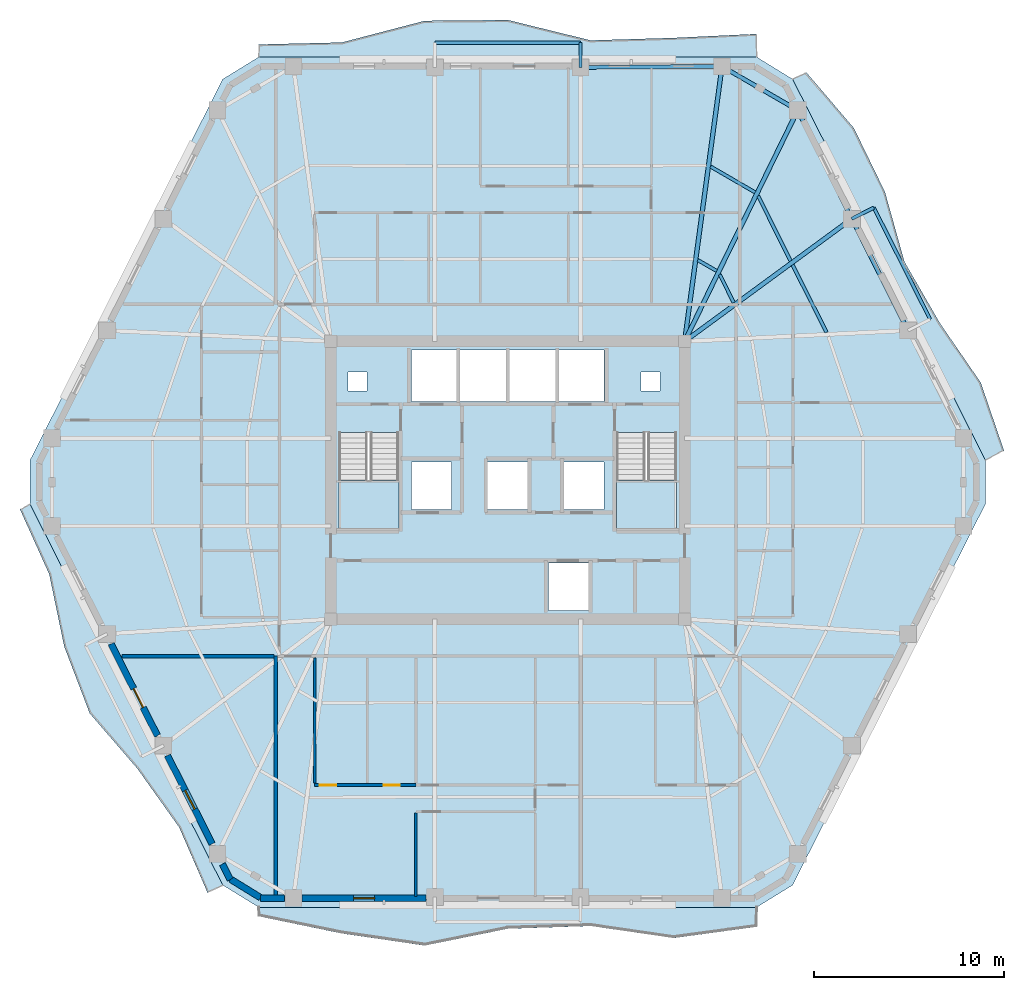
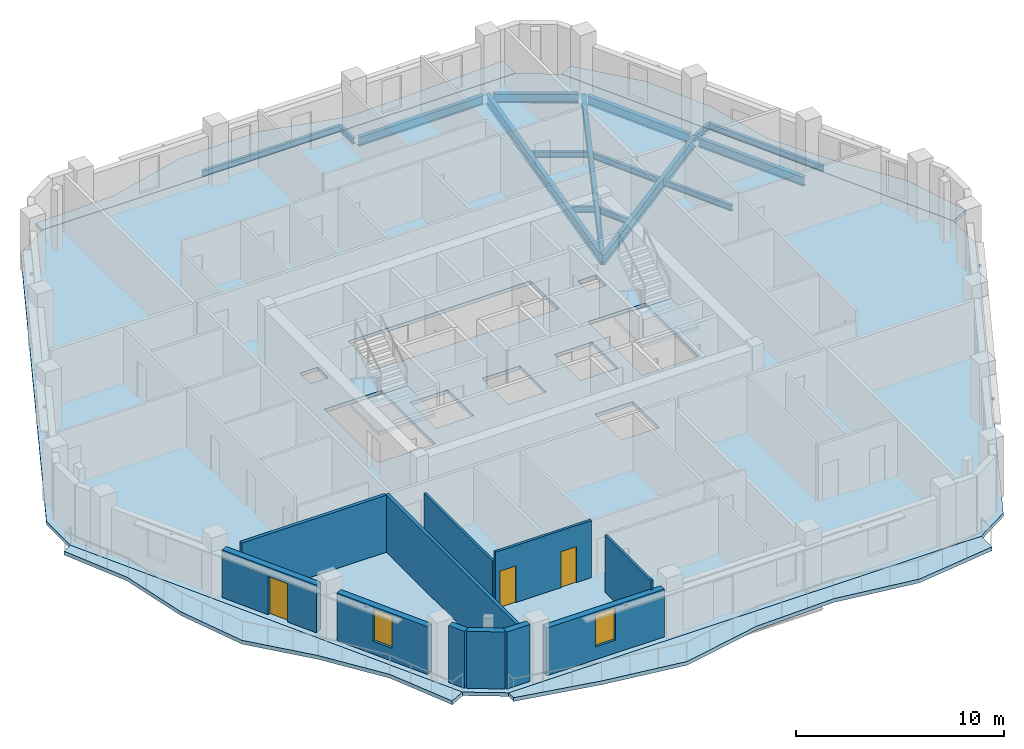
# One storey, part 3 of 12: 16 beams, 11 walls, 7 slabs, 3 doors, 2 windows, 5 openings, 2 elements without a shape of their own.
"""IFC4 building model written with IfcOpenShell, lengths in metres."""

from ifc_helpers import new_model, si_unit, direction, frame, frame_2d, origin, origin_2d, place, context, subcontext, project, spatial, polyline, rectangle, i_section, outline, extrude, material, layer, layer_set, material_profile, profile_set, type_object, element, fill, aggregate, save


model = new_model("IFC4")

# Units and contexts
model_context = context("Model", 3, precision=1e-05, world=origin(), true_north=direction((0.0, 1.0)))
body_context = subcontext(model_context, "Body", "Model", "MODEL_VIEW")
ifc_project = project(units=[si_unit("LENGTHUNIT", "METRE"), si_unit("AREAUNIT", "SQUARE_METRE"), si_unit("VOLUMEUNIT", "CUBIC_METRE"), si_unit("PLANEANGLEUNIT", "RADIAN"), si_unit("MASSUNIT", "GRAM", prefix="KILO")], contexts=[model_context])

# Site, building, storey
site_placement = place(None, origin())
site = spatial("IfcSite", under=ifc_project, at=site_placement, CompositionType="ELEMENT")
building_placement = place(site_placement, origin())
building = spatial("IfcBuilding", under=site, at=building_placement, Name="Cinnabar Lancet Tower", CompositionType="ELEMENT")
storey_placement = place(building_placement, frame((0.0, 0.0, 157.050048828125)))
storey = spatial("IfcBuildingStorey", under=building, at=storey_placement, Name="L41", CompositionType="ELEMENT", Elevation=157.050048828125)

# Beams
ifc_material_1 = material(Name="Structural steel S355", Category="steel")
ifc_material_profile_1 = material_profile(ifc_material_1, i_section(OverallWidth=0.17138671875, OverallDepth=0.35498046875, WebThickness=0.00732421875, FlangeThickness=0.011474609375, FilletRadius=0.01025390625, at=origin_2d()), Name="UKB 356x171x51")
ifc_profile_set_1 = profile_set([ifc_material_profile_1], Name="Structural steel S355")
beam_type_1 = type_object("IfcBeamType", Name="STR-BM-JST-356", PredefinedType="JOIST", material=ifc_profile_set_1)
beam_1_placement = place(storey_placement, frame((49.1650390625, 33.679931640625, -0.387939453125), z_axis=(-0.450656035687, 0.892697674187, 0.0), x_axis=(-0.892697674187, -0.450656035687, 0.0)))
element("IfcBeam", 1, at=beam_1_placement, inside=storey, type_object=beam_type_1, Name="L41 Secondary Floor Joist 27", PredefinedType="JOIST", context=body_context, shape_type="SweptSolid", body=[
    extrude(i_section(OverallWidth=0.17138671875, OverallDepth=0.35498046875, WebThickness=0.00732421875, FlangeThickness=0.011474609375, FilletRadius=0.01025390625, at=origin_2d()), origin(), (0.0, 0.0, 1.0), 3.9677734375),
])
beam_2_placement = place(storey_placement, frame((47.27294921875, 37.427978515625, -0.387939453125), z_axis=(-0.4452962175, 0.895383313827, 0.0), x_axis=(-0.895383313827, -0.4452962175, 0.0)))
element("IfcBeam", 2, at=beam_2_placement, inside=storey, type_object=beam_type_1, Name="L41 Secondary Floor Joist 29", PredefinedType="JOIST", context=body_context, shape_type="SweptSolid", body=[
    extrude(i_section(OverallWidth=0.17138671875, OverallDepth=0.35498046875, WebThickness=0.00732421875, FlangeThickness=0.011474609375, FilletRadius=0.01025390625, at=origin_2d()), origin(), (0.0, 0.0, 1.0), 3.822021484375),
])
beam_3_placement = place(storey_placement, frame((44.284912109375, 35.237060546875, -0.387939453125), z_axis=(-0.445203586036, 0.895429375764, 0.0), x_axis=(-0.895429375764, -0.445203586036, 0.0)))
element("IfcBeam", 3, at=beam_3_placement, inside=storey, type_object=beam_type_1, Name="L41 Secondary Floor Joist 30", PredefinedType="JOIST", context=body_context, shape_type="SweptSolid", body=[
    extrude(i_section(OverallWidth=0.17138671875, OverallDepth=0.35498046875, WebThickness=0.00732421875, FlangeThickness=0.011474609375, FilletRadius=0.01025390625, at=origin_2d()), origin(), (0.0, 0.0, 1.0), 1.65283203125),
])
beam_4_placement = place(storey_placement, frame((45.407958984375, 41.035888671875, -0.387939453125), z_axis=(-0.865133760642, 0.501541200898, 0.0), x_axis=(-0.501541200898, -0.865133760642, 0.0)))
element("IfcBeam", 4, at=beam_4_placement, inside=storey, type_object=beam_type_1, Name="L41 Secondary Floor Joist 31", PredefinedType="JOIST", context=body_context, shape_type="SweptSolid", body=[
    extrude(i_section(OverallWidth=0.17138671875, OverallDepth=0.35498046875, WebThickness=0.00732421875, FlangeThickness=0.011474609375, FilletRadius=0.01025390625, at=origin_2d()), origin(), (0.0, 0.0, 1.0), 2.7060546875),
])
beam_5_placement = place(storey_placement, frame((43.385986328125, 36.904052734375, -0.387939453125), z_axis=(-0.865640778484, 0.500665599602, 0.0), x_axis=(-0.500665599602, -0.865640778484, 0.0)))
element("IfcBeam", 5, at=beam_5_placement, inside=storey, type_object=beam_type_1, Name="L41 Secondary Floor Joist 32", PredefinedType="JOIST", context=body_context, shape_type="SweptSolid", body=[
    extrude(i_section(OverallWidth=0.17138671875, OverallDepth=0.35498046875, WebThickness=0.00732421875, FlangeThickness=0.011474609375, FilletRadius=0.01025390625, at=origin_2d()), origin(), (0.0, 0.0, 1.0), 1.142578125),
])
ifc_material_2 = material(Name="Structural steel S355", Category="steel")
ifc_material_profile_2 = material_profile(ifc_material_2, i_section(OverallWidth=0.209228515625, OverallDepth=0.533203125, WebThickness=0.010009765625, FlangeThickness=0.015625, FilletRadius=0.0126953125, at=origin_2d()), Name="UKB 533x210x92")
ifc_profile_set_2 = profile_set([ifc_material_profile_2], Name="Structural steel S355")
beam_type_2 = type_object("IfcBeamType", Name="STR-BM-SPN-533", PredefinedType="SPANDREL", material=ifc_profile_set_2)
beam_6_placement = place(storey_placement, frame((53.339111328125, 33.9990234375, -0.47705078125), z_axis=(-0.450570325924, 0.892740937449, 0.0), x_axis=(-0.892740937449, -0.450570325924, 0.0)))
element("IfcBeam", 6, at=beam_6_placement, inside=storey, type_object=beam_type_2, Name="L41 Perimeter Spandrel 10", PredefinedType="SPANDREL", context=body_context, shape_type="SweptSolid", body=[
    extrude(i_section(OverallWidth=0.209228515625, OverallDepth=0.533203125, WebThickness=0.010009765625, FlangeThickness=0.015625, FilletRadius=0.0126953125, at=origin_2d()), origin(), (0.0, 0.0, 1.0), 6.07470703125),
])
beam_7_placement = place(storey_placement, frame((50.3779296875, 39.868896484375, -0.47705078125), z_axis=(-0.445501068635, 0.89528140707, 0.0), x_axis=(-0.89528140707, -0.445501068635, 0.0)))
element("IfcBeam", 7, at=beam_7_placement, inside=storey, type_object=beam_type_2, Name="L41 Perimeter Spandrel 11", PredefinedType="SPANDREL", context=body_context, shape_type="SweptSolid", body=[
    extrude(i_section(OverallWidth=0.209228515625, OverallDepth=0.533203125, WebThickness=0.010009765625, FlangeThickness=0.015625, FilletRadius=0.0126953125, at=origin_2d()), origin(), (0.0, 0.0, 1.0), 5.87646484375),
])
beam_8_placement = place(storey_placement, frame((47.43310546875, 45.47900390625, -0.47705078125), z_axis=(-0.865138129765, 0.5015336643, 0.0), x_axis=(-0.5015336643, -0.865138129765, 0.0)))
element("IfcBeam", 8, at=beam_8_placement, inside=storey, type_object=beam_type_2, Name="L41 Perimeter Spandrel 12", PredefinedType="SPANDREL", context=body_context, shape_type="SweptSolid", body=[
    extrude(i_section(OverallWidth=0.209228515625, OverallDepth=0.533203125, WebThickness=0.010009765625, FlangeThickness=0.015625, FilletRadius=0.0126953125, at=origin_2d()), origin(), (0.0, 0.0, 1.0), 4.10107421875),
])
beam_9_placement = place(storey_placement, frame((43.4189453125, 47.658935546875, -0.47705078125), z_axis=(-0.999975228682, -0.007038609338, 0.0), x_axis=(0.007038609338, -0.999975228682, 0.0)))
element("IfcBeam", 9, at=beam_9_placement, inside=storey, type_object=beam_type_2, Name="L41 Perimeter Spandrel 13", PredefinedType="SPANDREL", context=body_context, shape_type="SweptSolid", body=[
    extrude(i_section(OverallWidth=0.209228515625, OverallDepth=0.533203125, WebThickness=0.010009765625, FlangeThickness=0.015625, FilletRadius=0.0126953125, at=origin_2d()), origin(), (0.0, 0.0, 1.0), 6.937255859375),
])
ifc_material_3 = material(Name="Structural steel S355", Category="steel")
ifc_material_profile_3 = material_profile(ifc_material_3, i_section(OverallWidth=0.228271484375, OverallDepth=0.607666015625, WebThickness=0.010986328125, FlangeThickness=0.017333984375, FilletRadius=0.0126953125, at=origin_2d()), Name="UKB 610x229x113")
ifc_profile_set_3 = profile_set([ifc_material_profile_3], Name="Structural steel S355")
beam_type_3 = type_object("IfcBeamType", Name="STR-BM-UKB610-113", PredefinedType="BEAM", material=ifc_profile_set_3)
beam_10_placement = place(storey_placement, frame((50.489013671875, 39.64501953125, -0.51416015625), z_axis=(-0.806415678013, -0.591349096774, 0.0), x_axis=(0.591349096774, -0.806415678013, 0.0)))
element("IfcBeam", 10, at=beam_10_placement, inside=storey, type_object=beam_type_3, Name="L41 Corner Collector Girder 3", PredefinedType="BEAM", context=body_context, shape_type="SweptSolid", body=[
    extrude(i_section(OverallWidth=0.228271484375, OverallDepth=0.607666015625, WebThickness=0.010986328125, FlangeThickness=0.017333984375, FilletRadius=0.0126953125, at=origin_2d()), origin(), (0.0, 0.0, 1.0), 10.89892578125),
])
beam_11_placement = place(storey_placement, frame((47.64892578125, 45.35400390625, -0.51416015625), z_axis=(-0.43962719145, -0.898180345219, 0.0), x_axis=(0.898180345219, -0.43962719145, 0.0)))
element("IfcBeam", 11, at=beam_11_placement, inside=storey, type_object=beam_type_3, Name="L41 Primary Floor Girder 12", PredefinedType="BEAM", context=body_context, shape_type="SweptSolid", body=[
    extrude(i_section(OverallWidth=0.228271484375, OverallDepth=0.607666015625, WebThickness=0.010986328125, FlangeThickness=0.017333984375, FilletRadius=0.0126953125, at=origin_2d()), origin(), (0.0, 0.0, 1.0), 13.531982421875),
])
beam_12_placement = place(storey_placement, frame((43.6689453125, 47.660888671875, -0.51416015625), z_axis=(-0.134914632731, -0.990857225777, 0.0), x_axis=(0.990857225777, -0.134914632731, 0.0)))
element("IfcBeam", 12, at=beam_12_placement, inside=storey, type_object=beam_type_3, Name="L41 Primary Floor Girder 13", PredefinedType="BEAM", context=body_context, shape_type="SweptSolid", body=[
    extrude(i_section(OverallWidth=0.228271484375, OverallDepth=0.607666015625, WebThickness=0.010986328125, FlangeThickness=0.017333984375, FilletRadius=0.0126953125, at=origin_2d()), origin(), (0.0, 0.0, 1.0), 14.594482421875),
])
ifc_material_4 = material(Name="Structural steel S355", Category="steel")
ifc_material_profile_4 = material_profile(ifc_material_4, i_section(OverallWidth=0.17138671875, OverallDepth=0.35498046875, WebThickness=0.00732421875, FlangeThickness=0.011474609375, FilletRadius=0.01025390625, at=origin_2d()), Name="UKB 356x171x51")
ifc_profile_set_4 = profile_set([ifc_material_profile_4], Name="Structural steel S355")
beam_type_4 = type_object("IfcBeamType", Name="STR-BM-WAV-OUT", PredefinedType="BEAM", material=ifc_profile_set_4)
for number, where, z_axis, x_axis, name in (
    (13, (50.489013671875, 39.64501953125, -0.39697265625), (0.89227592947, 0.451490493464, 0.0), (-0.451490493464, 0.89227592947, 0.0), "L41 Face 3 Balcony Outlooker B"),
    (14, (36.23193359375, 47.60791015625, -0.39697265625), (0.0, 1.0, 0.0), (-1.0, 0.0, 0.0), "L41 Face 4 Balcony Outlooker A"),
):
    element("IfcBeam", number, at=place(storey_placement, frame(where, z_axis=z_axis, x_axis=x_axis)), inside=storey, type_object=beam_type_4, Name=name, PredefinedType="BEAM", context=body_context, shape_type="SweptSolid", body=[
        extrude(i_section(OverallWidth=0.17138671875, OverallDepth=0.35498046875, WebThickness=0.00732421875, FlangeThickness=0.011474609375, FilletRadius=0.01025390625, at=origin_2d()), origin(), (0.0, 0.0, 1.0), 1.300048828125),
    ])
ifc_material_5 = material(Name="Structural steel S355", Category="steel")
ifc_material_profile_5 = material_profile(ifc_material_5, i_section(OverallWidth=0.17138671875, OverallDepth=0.35498046875, WebThickness=0.00732421875, FlangeThickness=0.011474609375, FilletRadius=0.01025390625, at=origin_2d()), Name="UKB 356x171x51")
ifc_profile_set_5 = profile_set([ifc_material_profile_5], Name="Structural steel S355")
beam_type_5 = type_object("IfcBeamType", Name="STR-BM-WAV-TRIM", PredefinedType="SPANDREL", material=ifc_profile_set_5)
beam_13_placement = place(storey_placement, frame((54.612060546875, 34.363037109375, -0.39697265625), z_axis=(-0.450700828166, 0.892675060417, 0.0), x_axis=(-0.892675060417, -0.450700828166, 0.0)))
element("IfcBeam", 15, at=beam_13_placement, inside=storey, type_object=beam_type_5, Name="L41 Face 3 Balcony Edge Trimmer", PredefinedType="SPANDREL", context=body_context, shape_type="SweptSolid", body=[
    extrude(i_section(OverallWidth=0.17138671875, OverallDepth=0.35498046875, WebThickness=0.00732421875, FlangeThickness=0.011474609375, FilletRadius=0.01025390625, at=origin_2d()), origin(), (0.0, 0.0, 1.0), 6.574462890625),
])
beam_14_placement = place(storey_placement, frame((36.23193359375, 48.907958984375, -0.39697265625), z_axis=(-1.0, 0.0, 0.0), x_axis=(0.0, -1.0, 0.0)))
element("IfcBeam", 16, at=beam_14_placement, inside=storey, type_object=beam_type_5, Name="L41 Face 4 Balcony Edge Trimmer", PredefinedType="SPANDREL", context=body_context, shape_type="SweptSolid", body=[
    extrude(i_section(OverallWidth=0.17138671875, OverallDepth=0.35498046875, WebThickness=0.00732421875, FlangeThickness=0.011474609375, FilletRadius=0.01025390625, at=origin_2d()), origin(), (0.0, 0.0, 1.0), 7.663818359375),
])

# Stair, slab
ifc_material_6 = material(Name="Concrete C40/50", Category="concrete")
stair_type = type_object("IfcStairType", Name="ST-CORE", PredefinedType="HALF_TURN_STAIR", material=ifc_material_6)
stair_1_placement = place(storey_placement, origin())
stair_1 = element("IfcStair", 17, at=stair_1_placement, inside=storey, type_object=stair_type, Name="L41 ST-1", PredefinedType="HALF_TURN_STAIR")
ifc_material_7 = material(Name="Concrete C40/50", Category="concrete")
ifc_layer_1 = layer(ifc_material_7, 0.199951171875)
ifc_layer_set_1 = layer_set([ifc_layer_1], Name="Concrete C40/50")
slab_type_1 = type_object("IfcSlabType", Name="LANDING-CORE", PredefinedType="LANDING", material=ifc_layer_set_1)
slab_1_placement = place(storey_placement, frame((0.0, 0.0, 1.574951171875)))
slab_1 = element("IfcSlab", 18, at=slab_1_placement, type_object=slab_type_1, Name="ST-1 landing 1", PredefinedType="LANDING", context=body_context, shape_type="SweptSolid", body=[
    extrude(outline(polyline([(23.52490234375, 25.925048828125), (23.52490234375, 23.25), (26.675048828125, 23.25), (26.675048828125, 25.925048828125), (23.52490234375, 25.925048828125)])), origin(), (0.0, 0.0, 1.0), 0.199951171875),
])
aggregate(stair_1, [slab_1])

stair_2_placement = place(storey_placement, origin())
stair_2 = element("IfcStair", 19, at=stair_2_placement, inside=storey, type_object=stair_type, Name="L41 ST-2", PredefinedType="HALF_TURN_STAIR")
slab_2_placement = place(storey_placement, frame((0.0, 0.0, 1.574951171875)))
slab_2 = element("IfcSlab", 20, at=slab_2_placement, type_object=slab_type_1, Name="ST-2 landing 1", PredefinedType="LANDING", context=body_context, shape_type="SweptSolid", body=[
    extrude(outline(polyline([(38.125, 25.925048828125), (38.125, 23.25), (41.27490234375, 23.25), (41.27490234375, 25.925048828125), (38.125, 25.925048828125)])), origin(), (0.0, 0.0, 1.0), 0.199951171875),
])
aggregate(stair_2, [slab_2])

# Slabs
ifc_material_8 = material(Name="Concrete C40/50", Category="concrete")
ifc_layer_2 = layer(ifc_material_8, 0.2099609375)
ifc_layer_set_2 = layer_set([ifc_layer_2], Name="Concrete C40/50")
slab_type_2 = type_object("IfcSlabType", Name="STR-SLB-FLR-210", PredefinedType="FLOOR", material=ifc_layer_set_2)
slab_3_placement = place(storey_placement, frame((0.0, 0.0, -0.2099609375)))
element("IfcSlab", 21, at=slab_3_placement, inside=storey, type_object=slab_type_2, Name="L41 Structural Floor Slab", PredefinedType="FLOOR", context=body_context, shape_type="SweptSolid", body=[
    extrude(outline(polyline([(17.4208984375, 4.610107421875), (19.30810546875, 3.449951171875), (45.491943359375, 3.449951171875), (47.37890625, 4.610107421875), (57.512939453125, 24.639892578125), (57.512939453125, 26.9599609375), (47.37890625, 46.989990234375), (45.491943359375, 48.14990234375), (19.30810546875, 48.14990234375), (17.4208984375, 46.989990234375), (7.287109375, 26.9599609375), (7.287109375, 24.639892578125), (17.4208984375, 4.610107421875)]), holes=[polyline([(23.52490234375, 23.25), (26.675048828125, 23.25), (26.675048828125, 28.3994140625), (23.52490234375, 28.3994140625), (23.52490234375, 23.25)]), polyline([(38.125, 23.25), (41.27490234375, 23.25), (41.27490234375, 28.3994140625), (38.125, 28.3994140625), (38.125, 23.25)]), polyline([(27.35009765625, 30.050048828125), (37.449951171875, 30.050048828125), (37.449951171875, 32.75), (27.35009765625, 32.75), (27.35009765625, 30.050048828125)]), polyline([(34.550048828125, 19.050048828125), (36.64990234375, 19.050048828125), (36.64990234375, 21.550048828125), (34.550048828125, 21.550048828125), (34.550048828125, 19.050048828125)]), polyline([(27.35009765625, 24.35009765625), (29.449951171875, 24.35009765625), (29.449951171875, 26.85009765625), (27.35009765625, 26.85009765625), (27.35009765625, 24.35009765625)]), polyline([(35.35009765625, 24.35009765625), (37.449951171875, 24.35009765625), (37.449951171875, 26.85009765625), (35.35009765625, 26.85009765625), (35.35009765625, 24.35009765625)]), polyline([(31.35009765625, 24.35009765625), (33.449951171875, 24.35009765625), (33.449951171875, 26.85009765625), (31.35009765625, 26.85009765625), (31.35009765625, 24.35009765625)]), polyline([(24.0, 30.60009765625), (25.0, 30.60009765625), (25.0, 31.60009765625), (24.0, 31.60009765625), (24.0, 30.60009765625)]), polyline([(39.39990234375, 30.60009765625), (40.39990234375, 30.60009765625), (40.39990234375, 31.60009765625), (39.39990234375, 31.60009765625), (39.39990234375, 30.60009765625)])]), origin(), (0.0, 0.0, 1.0), 0.2099609375),
])
ifc_material_9 = material(Name="Concrete C45/55", Category="concrete")
ifc_layer_3 = layer(ifc_material_9, 0.219970703125)
ifc_layer_set_3 = layer_set([ifc_layer_3], Name="Concrete C45/55")
slab_type_3 = type_object("IfcSlabType", Name="STR-SLB-WAV-220", PredefinedType="FLOOR", material=ifc_layer_set_3)
slab_4_placement = place(storey_placement, frame((0.0, 0.0, -0.219970703125)))
element("IfcSlab", 22, at=slab_4_placement, inside=storey, type_object=slab_type_3, Name="L41 Face 1 Undulating Wave Balcony Slab", PredefinedType="FLOOR", context=body_context, shape_type="SweptSolid", body=[
    extrude(outline(polyline([(19.30810546875, 3.449951171875), (19.30810546875, 2.97412109375), (23.672119140625, 2.072998046875), (28.035888671875, 1.43505859375), (32.39990234375, 2.322021484375), (36.763916015625, 2.464111328125), (41.1279296875, 1.8310546875), (45.491943359375, 2.4208984375), (45.491943359375, 3.449951171875), (19.30810546875, 3.449951171875)])), origin(), (0.0, 0.0, 1.0), 0.219970703125),
])
slab_5_placement = place(storey_placement, frame((0.0, 0.0, -0.219970703125)))
element("IfcSlab", 23, at=slab_5_placement, inside=storey, type_object=slab_type_3, Name="L41 Face 3 Undulating Wave Balcony Slab", PredefinedType="FLOOR", context=body_context, shape_type="SweptSolid", body=[
    extrude(outline(polyline([(57.512939453125, 26.9599609375), (58.493896484375, 27.4560546875), (57.27294921875, 31.031005859375), (55.133056640625, 34.14208984375), (53.260009765625, 37.386962890625), (52.23291015625, 41.06005859375), (50.595947265625, 44.425048828125), (48.093017578125, 47.35107421875), (47.37890625, 46.989990234375), (57.512939453125, 26.9599609375)])), origin(), (0.0, 0.0, 1.0), 0.219970703125),
])
slab_6_placement = place(storey_placement, frame((0.0, 0.0, -0.219970703125)))
element("IfcSlab", 24, at=slab_6_placement, inside=storey, type_object=slab_type_3, Name="L41 Face 4 Undulating Wave Balcony Slab", PredefinedType="FLOOR", context=body_context, shape_type="SweptSolid", body=[
    extrude(outline(polyline([(45.491943359375, 48.14990234375), (45.491943359375, 49.366943359375), (41.1279296875, 49.157958984375), (36.763916015625, 49.027099609375), (32.39990234375, 50.09912109375), (28.035888671875, 50.055908203125), (23.672119140625, 48.9169921875), (19.30810546875, 48.81298828125), (19.30810546875, 48.14990234375), (45.491943359375, 48.14990234375)])), origin(), (0.0, 0.0, 1.0), 0.219970703125),
])
slab_7_placement = place(storey_placement, frame((0.0, 0.0, -0.219970703125)))
element("IfcSlab", 25, at=slab_7_placement, inside=storey, type_object=slab_type_3, Name="L41 Face 6 Undulating Wave Balcony Slab", PredefinedType="FLOOR", context=body_context, shape_type="SweptSolid", body=[
    extrude(outline(polyline([(7.287109375, 24.639892578125), (6.758056640625, 24.3720703125), (8.2958984375, 20.9580078125), (9.0830078125, 17.1630859375), (10.422119140625, 13.64697265625), (12.93798828125, 10.72802734375), (15.132080078125, 7.64501953125), (16.6240234375, 4.20703125), (17.4208984375, 4.610107421875), (7.287109375, 24.639892578125)])), origin(), (0.0, 0.0, 1.0), 0.219970703125),
])

# Walls
ifc_material_10 = material(Name="Fire-rated twin-frame acoustic drywall", Category="gypsum")
ifc_layer_4 = layer(ifc_material_10, 0.179931640625)
ifc_layer_set_4 = layer_set([ifc_layer_4], Name="Fire-rated twin-frame acoustic drywall")
wall_type_1 = type_object("IfcWallType", Name="ARC-WL-PARTY-180", PredefinedType="PARTITIONING", material=ifc_layer_set_4)
wall_1_placement = place(storey_placement, frame((20.199951171875, 4.10498046875, 0.0), z_axis=(0.0, 0.0, 1.0), x_axis=(0.0, 1.0, 0.0)))
element("IfcWall", 26, at=wall_1_placement, inside=storey, type_object=wall_type_1, Name="PW-L41-SPTY-202", PredefinedType="PARTITIONING", context=body_context, shape_type="SweptSolid", body=[
    extrude(rectangle(XDim=12.544921875, YDim=0.179931640625, at=frame_2d((6.2724609375, 0.0))), origin(), (0.0, 0.0, 1.0), 3.33984375),
])
wall_2_placement = place(storey_placement, frame((12.10888671875, 16.64990234375, 0.0), z_axis=(0.0, 0.0, 1.0), x_axis=(1.0, 0.0, 0.0)))
element("IfcWall", 27, at=wall_2_placement, inside=storey, type_object=wall_type_1, Name="PW-L41-WSB", PredefinedType="PARTITIONING", context=body_context, shape_type="SweptSolid", body=[
    extrude(rectangle(XDim=7.99609375, YDim=0.179931640625, at=frame_2d((3.998046875, 0.0))), origin(), (0.0, 0.0, 1.0), 3.33984375),
])
ifc_material_11 = material(Name="Gypsum plasterboard stud partition", Category="gypsum")
ifc_layer_5 = layer(ifc_material_11, 0.125)
ifc_layer_set_5 = layer_set([ifc_layer_5], Name="Gypsum plasterboard stud partition")
wall_type_2 = type_object("IfcWallType", Name="ARC-WL-UNIT-125", PredefinedType="PARTITIONING", material=ifc_layer_set_5)
wall_3_placement = place(storey_placement, frame((22.25, 9.98095703125, 0.0), z_axis=(0.0, 0.0, 1.0), x_axis=(0.0, 1.0, 0.0)))
element("IfcWall", 28, at=wall_3_placement, inside=storey, type_object=wall_type_2, Name="UW-L41-S01-FOYE", PredefinedType="PARTITIONING", context=body_context, shape_type="SweptSolid", body=[
    extrude(rectangle(XDim=6.583984375, YDim=0.125, at=frame_2d((3.2919921875, 0.0))), origin(), (0.0, 0.0, 1.0), 2.721923828125),
])
wall_4_placement = place(storey_placement, frame((27.574951171875, 4.014892578125, 0.0), z_axis=(0.0, 0.0, 1.0), x_axis=(0.0, 1.0, 0.0)))
element("IfcWall", 29, at=wall_4_placement, inside=storey, type_object=wall_type_2, Name="UW-L41-S01-BD2W", PredefinedType="PARTITIONING", context=body_context, shape_type="SweptSolid", body=[
    extrude(rectangle(XDim=4.39599609375, YDim=0.125, at=frame_2d((2.197998046875, 0.0))), origin(), (0.0, 0.0, 1.0), 3.33984375),
])

# Wall, openings, doors
ifc_material_12 = material(Name="Moisture-resistant cement-board plumbing wall", Category="masonry")
ifc_layer_6 = layer(ifc_material_12, 0.139892578125)
ifc_layer_set_6 = layer_set([ifc_layer_6], Name="Moisture-resistant cement-board plumbing wall")
wall_type_3 = type_object("IfcWallType", Name="ARC-WL-WET-140", PredefinedType="PLUMBINGWALL", material=ifc_layer_set_6)
wall_5_placement = place(storey_placement, frame((22.25, 9.8759765625, 0.0), z_axis=(0.0, 0.0, 1.0), x_axis=(1.0, 0.0, 0.0)))
wall_5 = element("IfcWall", 30, at=wall_5_placement, inside=storey, type_object=wall_type_3, Name="UW-L41-S01-SPL", PredefinedType="PLUMBINGWALL", context=body_context, shape_type="SweptSolid", body=[
    extrude(rectangle(XDim=5.324951171875, YDim=0.139892578125, at=frame_2d((2.66259765625, 0.0))), origin(), (0.0, 0.0, 1.0), 3.33984375),
])
opening_1_placement = place(wall_5_placement, frame((3.6220703125, 0.0, 0.0)))
opening_1 = element("IfcOpeningElement", 31, at=opening_1_placement, cuts=wall_5, Name="Opening BD-01", PredefinedType="OPENING", context=body_context, shape_type="SweptSolid", body=[
    extrude(rectangle(XDim=0.860107421875, YDim=2.10009765625, at=frame_2d((0.43017578125, 1.050048828125))), frame((0.0, 0.079833984375, 0.0), z_axis=(0.0, -1.0, 0.0), x_axis=(1.0, 0.0, 0.0)), (0.0, 0.0, 1.0), 0.159912109375),
])
opening_2_placement = place(wall_5_placement, frame((0.260009765625, 0.0, 0.0)))
opening_2 = element("IfcOpeningElement", 32, at=opening_2_placement, cuts=wall_5, Name="Opening RD-02", PredefinedType="OPENING", context=body_context, shape_type="SweptSolid", body=[
    extrude(rectangle(XDim=0.8798828125, YDim=2.14990234375, at=frame_2d((0.43994140625, 1.074951171875))), frame((0.0, 0.079833984375, 0.0), z_axis=(0.0, -1.0, 0.0), x_axis=(1.0, 0.0, 0.0)), (0.0, 0.0, 1.0), 0.159912109375),
])
ifc_material_13 = material(Name="Moisture-resistant timber bathroom door", Category="wood")
door_type_1 = type_object("IfcDoorType", Name="ARC-DR-BATH", OperationType="NOTDEFINED", PredefinedType="DOOR", material=ifc_material_13)
door_1_placement = place(opening_1_placement, origin())
door_1 = element("IfcDoor", 33, at=door_1_placement, inside=storey, type_object=door_type_1, Name="DR-L41-S01-BTH", OperationType="SINGLE_SWING_LEFT", OverallHeight=2.10009765625, OverallWidth=0.860107421875, PredefinedType="DOOR", context=body_context, shape_type="SweptSolid", body=[
    extrude(rectangle(XDim=0.860107421875, YDim=2.10009765625, at=frame_2d((0.43017578125, 1.050048828125))), frame((0.0, 0.02490234375, 0.0), z_axis=(0.0, -1.0, 0.0), x_axis=(1.0, 0.0, 0.0)), (0.0, 0.0, 1.0), 0.050048828125),
])
fill(opening_1, door_1)
ifc_material_14 = material(Name="Engineered timber study door", Category="wood")
door_type_2 = type_object("IfcDoorType", Name="ARC-DR-STUDY", OperationType="NOTDEFINED", PredefinedType="DOOR", material=ifc_material_14)
door_2_placement = place(opening_2_placement, origin())
door_2 = element("IfcDoor", 34, at=door_2_placement, inside=storey, type_object=door_type_2, Name="DR-L41-S01-KIT", OperationType="SINGLE_SWING_RIGHT", OverallHeight=2.14990234375, OverallWidth=0.8798828125, PredefinedType="DOOR", context=body_context, shape_type="SweptSolid", body=[
    extrude(rectangle(XDim=0.8798828125, YDim=2.14990234375, at=frame_2d((0.43994140625, 1.074951171875))), frame((0.0, 0.02490234375, 0.0), z_axis=(0.0, -1.0, 0.0), x_axis=(1.0, 0.0, 0.0)), (0.0, 0.0, 1.0), 0.050048828125),
])
fill(opening_2, door_2)

# Walls
ifc_material_15 = material(Name="Cinnabar red clay brick", Category="masonry")
ifc_layer_7 = layer(ifc_material_15, 0.340087890625)
ifc_layer_set_7 = layer_set([ifc_layer_7], Name="Cinnabar red clay brick")
wall_type_4 = type_object("IfcWallType", Name="ENV-WL-BRK-RED-340", PredefinedType="STANDARD", material=ifc_layer_set_7)
wall_6_placement = place(storey_placement, frame((17.8291015625, 4.923095703125, 0.0), z_axis=(0.0, 0.0, 1.0), x_axis=(0.851798915137, -0.523868884523, 0.0)))
element("IfcWall", 35, at=wall_6_placement, inside=storey, type_object=wall_type_4, Name="L41 Chamfered Corner Brick Pier 1.1", PredefinedType="STANDARD", context=body_context, shape_type="SweptSolid", body=[
    extrude(rectangle(XDim=1.847900390625, YDim=0.340087890625, at=frame_2d((0.923828125, 0.0))), origin(), (0.0, 0.0, 1.0), 3.33984375),
])
wall_7_placement = place(storey_placement, frame((19.39794921875, 3.929931640625, 0.0), z_axis=(0.0, 0.0, 1.0), x_axis=(1.0, 0.0, 0.0)))
element("IfcWall", 36, at=wall_7_placement, inside=storey, type_object=wall_type_4, Name="L41 Face 1 Masonry Bay Wall 1", PredefinedType="STANDARD", context=body_context, shape_type="SweptSolid", body=[
    extrude(rectangle(XDim=1.279052734375, YDim=0.340087890625, at=frame_2d((0.6396484375, 0.0))), origin(), (0.0, 0.0, 1.0), 3.33984375),
])

# Wall, opening, window
wall_8_placement = place(storey_placement, frame((21.5849609375, 3.929931640625, 0.0), z_axis=(0.0, 0.0, 1.0), x_axis=(1.0, 0.0, 0.0)))
wall_8 = element("IfcWall", 37, at=wall_8_placement, inside=storey, type_object=wall_type_4, Name="L41 Face 1 Masonry Bay Wall 2", PredefinedType="STANDARD", context=body_context, shape_type="SweptSolid", body=[
    extrude(rectangle(XDim=6.529052734375, YDim=0.340087890625, at=frame_2d((3.2646484375, 0.0))), origin(), (0.0, 0.0, 1.0), 2.796875),
])
opening_3_placement = place(wall_8_placement, frame((2.715087890625, 0.0, 0.75)))
opening_3 = element("IfcOpeningElement", 38, at=opening_3_placement, cuts=wall_8, Name="Opening WN-04", PredefinedType="OPENING", context=body_context, shape_type="SweptSolid", body=[
    extrude(rectangle(XDim=1.10009765625, YDim=1.89697265625, at=frame_2d((0.550048828125, 0.948486328125))), frame((0.0, 0.179931640625, 0.0), z_axis=(0.0, -1.0, 0.0), x_axis=(1.0, 0.0, 0.0)), (0.0, 0.0, 1.0), 0.360107421875),
])
ifc_material_16 = material(Name="Thermally broken bronze-anodized aluminium tall lancet window", Category="aluminium")
window_type = type_object("IfcWindowType", Name="ENV-WN-LANCET-1100", PartitioningType="SINGLE_PANEL", PredefinedType="WINDOW", material=ifc_material_16)
window_1_placement = place(opening_3_placement, origin())
window_1 = element("IfcWindow", 39, at=window_1_placement, inside=storey, type_object=window_type, Name="L41 Face 1 Gothic Lancet Window 2", OverallHeight=1.89697265625, OverallWidth=1.10009765625, PartitioningType="SINGLE_PANEL", PredefinedType="WINDOW", context=body_context, shape_type="SweptSolid", body=[
    extrude(rectangle(XDim=1.10009765625, YDim=1.89697265625, at=frame_2d((0.550048828125, 0.948486328125))), frame((0.0, 0.030029296875, 0.0), z_axis=(0.0, -1.0, 0.0), x_axis=(1.0, 0.0, 0.0)), (0.0, 0.0, 1.0), 0.06005859375),
])
fill(opening_3, window_1)

# Wall, opening, door
wall_9_placement = place(storey_placement, frame((11.5419921875, 17.29296875, 0.0), z_axis=(0.0, 0.0, 1.0), x_axis=(0.451491174807, -0.892275584711, 0.0)))
wall_9 = element("IfcWall", 40, at=wall_9_placement, inside=storey, type_object=wall_type_4, Name="L41 Face 6 Masonry Bay Wall 3", PredefinedType="STANDARD", context=body_context, shape_type="SweptSolid", body=[
    extrude(rectangle(XDim=5.404296875, YDim=0.340087890625, at=frame_2d((2.7021484375, 0.0))), origin(), (0.0, 0.0, 1.0), 2.796875),
])
opening_4_placement = place(wall_9_placement, frame((2.636962890625, 0.0, 0.0)))
opening_4 = element("IfcOpeningElement", 41, at=opening_4_placement, cuts=wall_9, Name="Opening TD-01", PredefinedType="OPENING", context=body_context, shape_type="SweptSolid", body=[
    extrude(rectangle(XDim=1.10009765625, YDim=2.25, at=frame_2d((0.550048828125, 1.125))), frame((0.0, 0.179931640625, 0.0), z_axis=(0.0, -1.0, 0.0), x_axis=(1.0, 0.0, 0.0)), (0.0, 0.0, 1.0), 0.360107421875),
])
ifc_material_17 = material(Name="Thermally broken low-E glazed balcony terrace door", Category="wood")
door_type_3 = type_object("IfcDoorType", Name="ARC-DR-BALC", OperationType="NOTDEFINED", PredefinedType="DOOR", material=ifc_material_17)
door_3_placement = place(opening_4_placement, origin())
door_3 = element("IfcDoor", 42, at=door_3_placement, inside=storey, type_object=door_type_3, Name="L41 Face 6 Glazed Terrace Door", OperationType="SINGLE_SWING_RIGHT", OverallHeight=2.25, OverallWidth=1.10009765625, PredefinedType="DOOR", context=body_context, shape_type="SweptSolid", body=[
    extrude(rectangle(XDim=1.10009765625, YDim=2.25, at=frame_2d((0.550048828125, 1.125))), frame((0.0, 0.02490234375, 0.0), z_axis=(0.0, -1.0, 0.0), x_axis=(1.0, 0.0, 0.0)), (0.0, 0.0, 1.0), 0.050048828125),
])
fill(opening_4, door_3)

# Wall, opening, window
wall_10_placement = place(storey_placement, frame((14.510986328125, 11.424072265625, 0.0), z_axis=(0.0, 0.0, 1.0), x_axis=(0.451595734115, -0.892222670038, 0.0)))
wall_10 = element("IfcWall", 43, at=wall_10_placement, inside=storey, type_object=wall_type_4, Name="L41 Face 6 Masonry Bay Wall 4", PredefinedType="STANDARD", context=body_context, shape_type="SweptSolid", body=[
    extrude(rectangle(XDim=5.208251953125, YDim=0.340087890625, at=frame_2d((2.60400390625, 0.0))), origin(), (0.0, 0.0, 1.0), 2.796875),
])
opening_5_placement = place(wall_10_placement, frame((2.053955078125, 0.0, 0.75)))
opening_5 = element("IfcOpeningElement", 44, at=opening_5_placement, cuts=wall_10, Name="Opening WN-04", PredefinedType="OPENING", context=body_context, shape_type="SweptSolid", body=[
    extrude(rectangle(XDim=1.10009765625, YDim=1.89697265625, at=frame_2d((0.550048828125, 0.948486328125))), frame((0.0, 0.179931640625, 0.0), z_axis=(0.0, -1.0, 0.0), x_axis=(1.0, 0.0, 0.0)), (0.0, 0.0, 1.0), 0.360107421875),
])
window_2_placement = place(opening_5_placement, origin())
window_2 = element("IfcWindow", 45, at=window_2_placement, inside=storey, type_object=window_type, Name="L41 Face 6 Gothic Lancet Window 4", OverallHeight=1.89697265625, OverallWidth=1.10009765625, PartitioningType="SINGLE_PANEL", PredefinedType="WINDOW", context=body_context, shape_type="SweptSolid", body=[
    extrude(rectangle(XDim=1.10009765625, YDim=1.89697265625, at=frame_2d((0.550048828125, 0.948486328125))), frame((0.0, 0.030029296875, 0.0), z_axis=(0.0, -1.0, 0.0), x_axis=(1.0, 0.0, 0.0)), (0.0, 0.0, 1.0), 0.06005859375),
])
fill(opening_5, window_2)

# Wall
wall_11_placement = place(storey_placement, frame((17.39990234375, 5.715087890625, 0.0), z_axis=(0.0, 0.0, 1.0), x_axis=(0.45173600575, -0.892151658133, 0.0)))
element("IfcWall", 46, at=wall_11_placement, inside=storey, type_object=wall_type_4, Name="L41 Face 6 Masonry Bay Wall 5", PredefinedType="STANDARD", context=body_context, shape_type="SweptSolid", body=[
    extrude(rectangle(XDim=0.90576171875, YDim=0.340087890625, at=frame_2d((0.452880859375, 0.0))), origin(), (0.0, 0.0, 1.0), 3.33984375),
])

save(model, "model.ifc")
